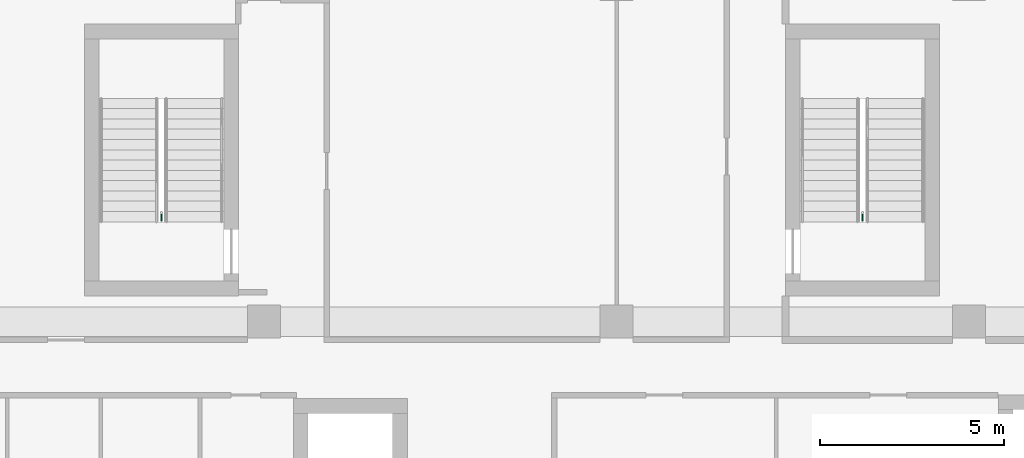
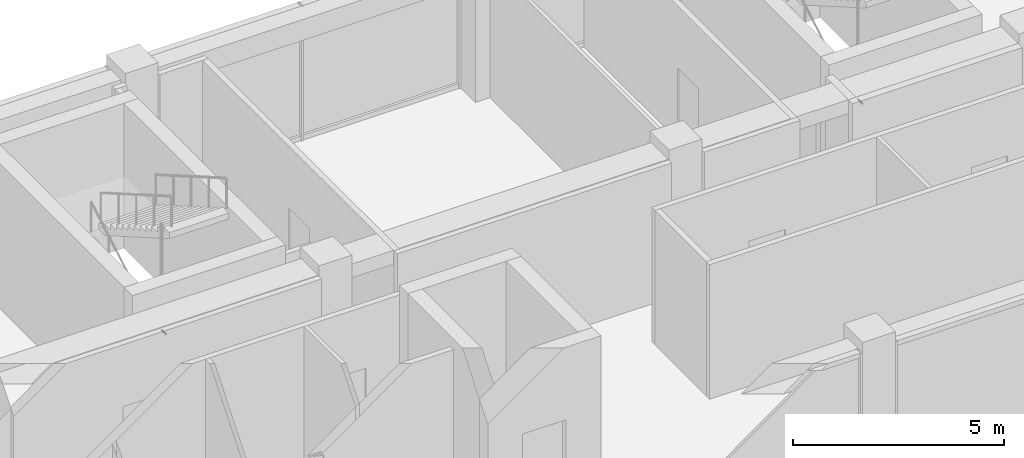
# One storey, part 36 of 36: 2 pipe fittings.
"""IFC4 building model written with IfcOpenShell, lengths in metres."""

import ifcopenshell
import ifcopenshell.guid

model = None  # the IFC model being written
_history = None  # IfcOwnerHistory: only IFC2X3 demands one
_inside = {}  # id of a spatial element -> (the spatial element, [elements in it])
_under = {}  # id of a project, library or spatial element -> (it, [spatial elements below it])
_declared = {}  # id of a project -> (the project, [libraries it declares])
_typed = {}  # id of a type object -> (the type object, [elements of that type])
_made_of = {}  # id of a material, layer set ... -> (it, [elements and type objects made of it])


def new_model(schema):
    """Start an empty IFC model of exactly this schema.

    Asked for "IFC4X3", IfcOpenShell would pick the latest addendum, in which some entities
    have other attributes; the version numbers below select the first issue.
    IFC2X3 requires an IfcOwnerHistory on every rooted entity: one is made here for all.
    """
    global model, _history
    if schema == "IFC4X3":
        model = ifcopenshell.file(schema_version=(4, 3, 0, 0))
    else:
        model = ifcopenshell.file(schema=schema)
    _inside.clear()
    _under.clear()
    _declared.clear()
    _typed.clear()
    _made_of.clear()
    _history = None
    if model.schema == "IFC2X3":
        org = make("IfcOrganization", Name="unknown")
        user = make(
            "IfcPersonAndOrganization",
            ThePerson=make("IfcPerson", FamilyName="unknown"),
            TheOrganization=org,
        )
        app = make(
            "IfcApplication",
            ApplicationDeveloper=org,
            Version="unknown",
            ApplicationFullName="unknown",
            ApplicationIdentifier="unknown",
        )
        _history = make(
            "IfcOwnerHistory",
            OwningUser=user,
            OwningApplication=app,
            ChangeAction="ADDED",
            CreationDate=0,
        )
    return model


def make(cls, **values):
    """One entity of the class cls with the attributes given. An attribute that is None is left unset."""
    return model.create_entity(
        cls, **{name: value for name, value in values.items() if value is not None}
    )


def rooted(cls, **values):
    """An entity with a GlobalId (a new one), such as an element, a storey or a relation."""
    return make(cls, GlobalId=ifcopenshell.guid.new(), OwnerHistory=_history, **values)


def si_unit(unit_type, name, prefix=None):
    """IfcSIUnit, for example si_unit("LENGTHUNIT", "METRE", prefix="MILLI")."""
    return make("IfcSIUnit", UnitType=unit_type, Prefix=prefix, Name=name)


def assignment(units):
    """IfcUnitAssignment: the units of a project."""
    return None if units is None else make("IfcUnitAssignment", Units=units)


def point(xyz):
    """IfcCartesianPoint."""
    return None if xyz is None else make("IfcCartesianPoint", Coordinates=xyz)


def direction(xyz):
    """IfcDirection."""
    return None if xyz is None else make("IfcDirection", DirectionRatios=xyz)


def frame(location, z_axis=None, x_axis=None):
    """IfcAxis2Placement3D, a coordinate frame: its origin and axes. An axis left out is left unset."""
    return make(
        "IfcAxis2Placement3D",
        Location=point(location),
        Axis=direction(z_axis),
        RefDirection=direction(x_axis),
    )


def frame_2d(location, x_axis=None):
    """IfcAxis2Placement2D, a coordinate frame in the plane: its origin and x axis."""
    return make(
        "IfcAxis2Placement2D", Location=point(location), RefDirection=direction(x_axis)
    )


def origin():
    """The frame at (0, 0, 0) with its axes left unset."""
    return frame((0.0, 0.0, 0.0))


def origin_2d():
    """The frame at (0, 0) in the plane with its x axis left unset."""
    return frame_2d((0.0, 0.0))


def place(relative_to, where):
    """IfcLocalPlacement: puts the frame where relative to a parent placement (None: the world)."""
    return make(
        "IfcLocalPlacement", PlacementRelTo=relative_to, RelativePlacement=where
    )


def context(
    kind, dimensions, precision=None, world=None, true_north=None, identifier=None
):
    """IfcGeometricRepresentationContext, for example the 3D "Model" context."""
    return make(
        "IfcGeometricRepresentationContext",
        ContextIdentifier=identifier,
        ContextType=kind,
        CoordinateSpaceDimension=dimensions,
        Precision=precision,
        WorldCoordinateSystem=world,
        TrueNorth=true_north,
    )


def subcontext(parent, identifier, kind, view, scale=None):
    """IfcGeometricRepresentationSubContext, for example "Body" below "Model"."""
    return make(
        "IfcGeometricRepresentationSubContext",
        ContextIdentifier=identifier,
        ContextType=kind,
        ParentContext=parent,
        TargetScale=scale,
        TargetView=view,
    )


def project(units=None, contexts=None):
    """IfcProject with its units and contexts."""
    return rooted(
        "IfcProject",
        Name="project",
        RepresentationContexts=contexts,
        UnitsInContext=assignment(units),
    )


def spatial(cls, under=None, at=None, **own):
    """A site, building, storey or space (cls), placed at a placement, below another one or the project."""
    s = rooted(cls, ObjectPlacement=at, **own)
    if under is not None:
        _under.setdefault(under.id(), (under, []))[1].append(s)
    return s


def profile(cls, at=None, kind="AREA", **sizes):
    """A parametric profile (cls). Its sizes go by their IFC names, for example OverallWidth=200.0."""
    return make(cls, ProfileType=kind, Position=at, **sizes)


def circle(**sizes):
    """IfcCircleProfileDef."""
    return profile("IfcCircleProfileDef", **sizes)


def extrude(swept, where, along, depth):
    """IfcExtrudedAreaSolid: the profile swept, set in the frame where, extruded along a direction by depth."""
    return make(
        "IfcExtrudedAreaSolid",
        SweptArea=swept,
        Position=where,
        ExtrudedDirection=direction(along),
        Depth=depth,
    )


def shape(context_of_items, identifier, shape_type, items):
    """IfcShapeRepresentation: the items that make up one representation, for example the "Body"."""
    return make(
        "IfcShapeRepresentation",
        ContextOfItems=context_of_items,
        RepresentationIdentifier=identifier,
        RepresentationType=shape_type,
        Items=items,
    )


def made_of(thing, what):
    """Note that an element or type object is made of a material, layer set ...; save() writes the relation."""
    if what is not None:
        _made_of.setdefault(what.id(), (what, []))[1].append(thing)
    return thing


def element(
    cls,
    number,
    at=None,
    inside=None,
    cuts=None,
    type_object=None,
    material=None,
    context=None,
    identifier="Body",
    shape_type=None,
    held_by="IfcProductDefinitionShape",
    body=None,
    shapes=None,
    **own,
):
    """One element of the class cls, such as IfcWall. Its Tag is "e" and its number.

    at: its placement. inside: the storey or other place that contains it. cuts: it is an
    opening in that element (IfcRelVoidsElement). A single representation is given by context,
    identifier, shape_type and body (its items); several are given by shapes. held_by: the class
    of the entity that holds the representations. save() writes the other relations.
    """
    e = rooted(cls, Tag="e%d" % number, ObjectPlacement=at, **own)
    if body is not None:
        shapes = [shape(context, identifier, shape_type, body)]
    if shapes is not None:
        e.Representation = make(held_by, Representations=shapes)
    if inside is not None:
        _inside.setdefault(inside.id(), (inside, []))[1].append(e)
    if cuts is not None:
        rooted(
            "IfcRelVoidsElement", RelatingBuildingElement=cuts, RelatedOpeningElement=e
        )
    if type_object is not None:
        _typed.setdefault(type_object.id(), (type_object, []))[1].append(e)
    return made_of(e, material)


def aggregate(whole, parts):
    """IfcRelAggregates: a whole, such as a stair, and the parts it consists of."""
    return rooted("IfcRelAggregates", RelatingObject=whole, RelatedObjects=parts)


def save(model, path):
    """Write the relations noted so far, then the file.

    IfcRelAggregates (storeys below a building ...), IfcRelContainedInSpatialStructure (elements
    in a storey), IfcRelDefinesByType, IfcRelAssociatesMaterial and IfcRelDeclares: one each for
    every whole, place, type object, material and project.
    """
    for whole, parts in _under.values():
        aggregate(whole, parts)
    for where, things in _inside.values():
        rooted(
            "IfcRelContainedInSpatialStructure",
            RelatedElements=things,
            RelatingStructure=where,
        )
    for kind, things in _typed.values():
        rooted("IfcRelDefinesByType", RelatedObjects=things, RelatingType=kind)
    for what, things in _made_of.values():
        rooted("IfcRelAssociatesMaterial", RelatedObjects=things, RelatingMaterial=what)
    for by, libraries in _declared.values():
        rooted("IfcRelDeclares", RelatingContext=by, RelatedDefinitions=libraries)
    model.write(path)


model = new_model("IFC4")

# Units and contexts
model_context = context("Model", 3, precision=1e-05, world=origin(), true_north=direction((0.0, 1.0)))
body_context = subcontext(model_context, "Body", "Model", "MODEL_VIEW")
ifc_project = project(units=[si_unit("LENGTHUNIT", "METRE"), si_unit("AREAUNIT", "SQUARE_METRE"), si_unit("VOLUMEUNIT", "CUBIC_METRE"), si_unit("PLANEANGLEUNIT", "RADIAN"), si_unit("MASSUNIT", "GRAM", prefix="KILO")], contexts=[model_context])

# Site, building, storey
site_placement = place(None, origin())
site = spatial("IfcSite", under=ifc_project, at=site_placement, CompositionType="ELEMENT")
building_placement = place(site_placement, origin())
building = spatial("IfcBuilding", under=site, at=building_placement, Name="Nzadi Deep Aquarium and Research Tower", CompositionType="ELEMENT")
storey_placement = place(building_placement, frame((0.0, 0.0, 44.5)))
storey = spatial("IfcBuildingStorey", under=building, at=storey_placement, Name="L08", CompositionType="ELEMENT", Elevation=44.5)

# Pipe fittings
for number, where, z_axis, x_axis, name in (
    (1, (6.800048828125, 39.77001953125, 1.10009765625), (0.0, -1.0, 0.0), (1.0, 0.0, 0.0), "Dry riser outlet ST-Z1-NW L08"),
    (2, (25.89990234375, 39.77001953125, 1.10009765625), (0.0, -1.0, 0.0), (1.0, 0.0, 0.0), "Dry riser outlet ST-Z1-NE L08"),
):
    element("IfcPipeFitting", number, at=place(storey_placement, frame(where, z_axis=z_axis, x_axis=x_axis)), inside=storey, Name=name, PredefinedType="EXIT", context=body_context, shape_type="SweptSolid", body=[
        extrude(circle(Radius=0.0224609375, at=origin_2d()), origin(), (0.0, 0.0, 1.0), 0.22998046875),
    ])

save(model, "model.ifc")
